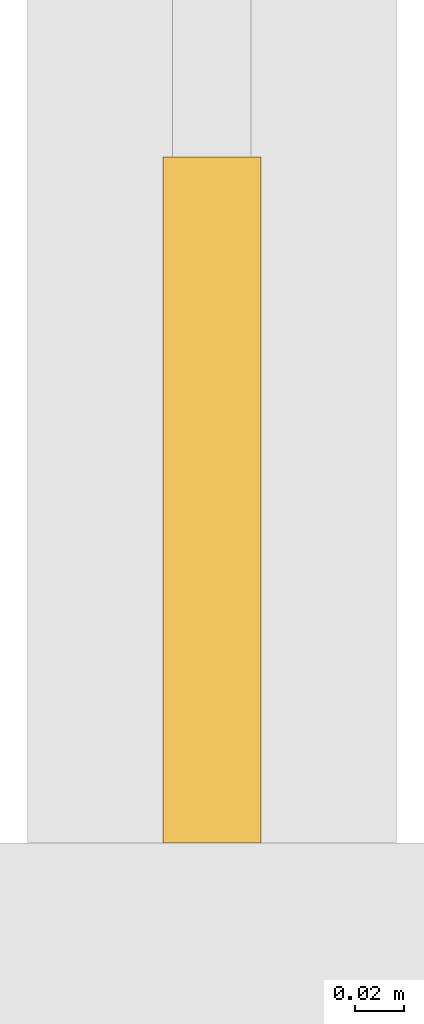
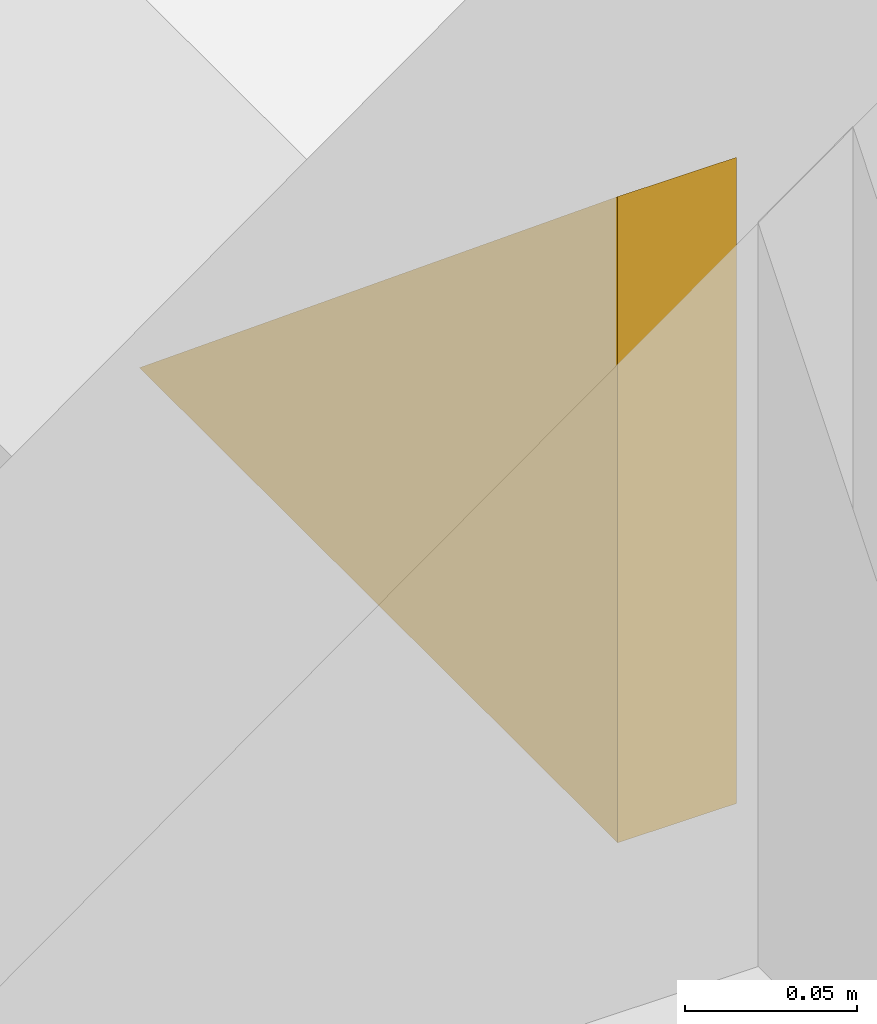
# One storey, part 15 of 18: 1 covering.
"""IFC4 building model written with IfcOpenShell, lengths in metres."""

from ifc_helpers import new_model, si_unit, direction, frame, origin, place, context, subcontext, project, spatial, polyline, outline, extrude, material, layer, layer_set, type_object, element, save


model = new_model("IFC4")

# Units and contexts
model_context = context("Model", 3, precision=1e-05, world=origin(), true_north=direction((0.0, 1.0)))
body_context = subcontext(model_context, "Body", "Model", "MODEL_VIEW")
ifc_project = project(units=[si_unit("LENGTHUNIT", "METRE"), si_unit("AREAUNIT", "SQUARE_METRE"), si_unit("VOLUMEUNIT", "CUBIC_METRE"), si_unit("PLANEANGLEUNIT", "RADIAN"), si_unit("MASSUNIT", "GRAM", prefix="KILO")], contexts=[model_context])

# Site, building, storey
site_placement = place(None, origin())
site = spatial("IfcSite", under=ifc_project, at=site_placement, CompositionType="ELEMENT")
building_placement = place(site_placement, origin())
building = spatial("IfcBuilding", under=site, at=building_placement, Name="Malebo Sky Hospital", CompositionType="ELEMENT")
storey_placement = place(building_placement, frame((0.0, 0.0, 132.0)))
storey = spatial("IfcBuildingStorey", under=building, at=storey_placement, Name="L31", CompositionType="ELEMENT", Elevation=132.0)

# Covering
ifc_material = material(Name="Anodised aluminium, natural silver insulated infill panel", Category="aluminium")
ifc_layer = layer(ifc_material, 0.0400390625)
ifc_layer_set = layer_set([ifc_layer], Name="BRACE INFILL PANEL 40")
covering_type = type_object("IfcCoveringType", Name="BRACE INFILL PANEL 40", PredefinedType="CLADDING", material=ifc_layer_set)
covering_placement = place(storey_placement, frame((35.864990234375, 45.376953125, 0.099853515625), z_axis=(0.0, 0.0, 1.0), x_axis=(0.0, 1.0, 0.0)))
element("IfcCovering", 1, at=covering_placement, inside=storey, type_object=covering_type, Name="Brace infill panel 2.1", PredefinedType="CLADDING", context=body_context, shape_type="SweptSolid", body=[
    extrude(outline(polyline([(-0.139404296875, 0.0), (0.139404296875, 0.0), (-0.139404296875, 0.22998046875), (-0.139404296875, 0.0)])), frame((0.0, 0.02001953125, 0.0), z_axis=(0.0, -1.0, 0.0), x_axis=(1.0, 0.0, 0.0)), (0.0, 0.0, 1.0), 0.0400390625),
])

save(model, "model.ifc")
